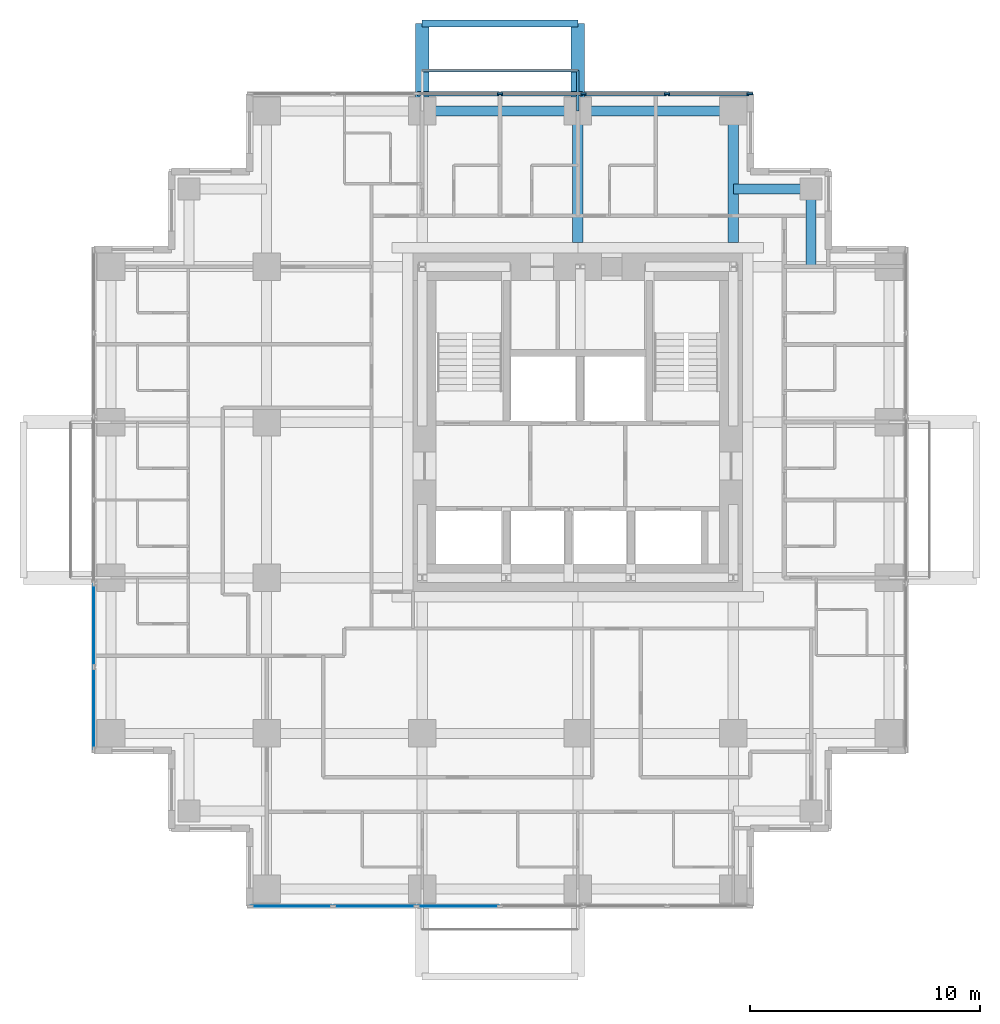
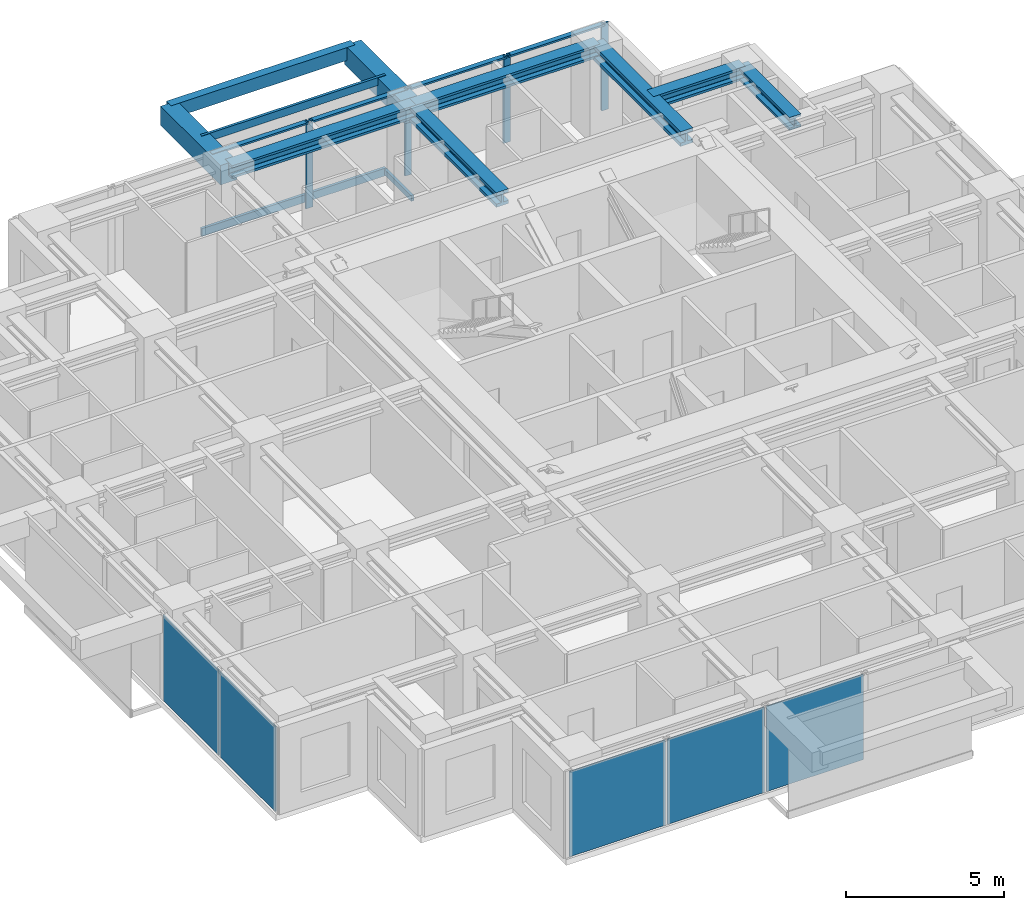
# One storey, part 4 of 10: 11 members, 9 beams, 5 plates, 3 elements without a shape of their own.
"""IFC4 building model written with IfcOpenShell, lengths in metres."""

from ifc_helpers import new_model, si_unit, direction, frame, origin, origin_2d, place, context, subcontext, project, spatial, rectangle, hollow_rectangle, i_section, extrude, material, layer, layer_set, material_profile, profile_set, type_object, element, aggregate, save


model = new_model("IFC4")

# Units and contexts
model_context = context("Model", 3, precision=1e-05, world=origin(), true_north=direction((0.0, 1.0)))
body_context = subcontext(model_context, "Body", "Model", "MODEL_VIEW")
ifc_project = project(units=[si_unit("LENGTHUNIT", "METRE"), si_unit("AREAUNIT", "SQUARE_METRE"), si_unit("VOLUMEUNIT", "CUBIC_METRE"), si_unit("PLANEANGLEUNIT", "RADIAN"), si_unit("MASSUNIT", "GRAM", prefix="KILO")], contexts=[model_context])

# Site, building, storey
site_placement = place(None, origin())
site = spatial("IfcSite", under=ifc_project, at=site_placement, CompositionType="ELEMENT")
building_placement = place(site_placement, origin())
building = spatial("IfcBuilding", under=site, at=building_placement, Name="Nyansa Garden Tower", CompositionType="ELEMENT")
storey_placement = place(building_placement, frame((0.0, 0.0, 181.800048828125)))
storey = spatial("IfcBuildingStorey", under=building, at=storey_placement, Name="L49", CompositionType="ELEMENT", Elevation=181.800048828125)

# Beams
ifc_material_1 = material(Name="Concrete C70/85", Category="concrete")
ifc_material_profile_1 = material_profile(ifc_material_1, rectangle(XDim=0.60009765625, YDim=0.75, at=origin_2d()), Name="RC 600x750")
ifc_profile_set_1 = profile_set([ifc_material_profile_1], Name="Concrete C70/85")
beam_type_1 = type_object("IfcBeamType", Name="Balcony cantilever beam CB1 RC 600x750", PredefinedType="BEAM", material=ifc_profile_set_1)
for number, where, z_axis, x_axis, name in (
    (1, (13.5, 33.75, 2.98486328125), (0.0, 1.0, 0.0), (-1.0, 0.0, 0.0), "Balcony cantilever beam L50"),
    (2, (20.25, 33.75, 2.98486328125), (0.0, 1.0, 0.0), (-1.0, 0.0, 0.0), "Balcony cantilever beam L50"),
):
    element("IfcBeam", number, at=place(storey_placement, frame(where, z_axis=z_axis, x_axis=x_axis)), inside=storey, type_object=beam_type_1, Name=name, PredefinedType="BEAM", context=body_context, shape_type="SweptSolid", body=[
        extrude(rectangle(XDim=0.60009765625, YDim=0.75, at=origin_2d()), origin(), (0.0, 0.0, 1.0), 3.800048828125),
    ])
ifc_material_2 = material(Name="Concrete C70/85", Category="concrete")
ifc_material_profile_2 = material_profile(ifc_material_2, rectangle(XDim=0.300048828125, YDim=0.5, at=origin_2d()), Name="RC 300x500")
ifc_profile_set_2 = profile_set([ifc_material_profile_2], Name="Concrete C70/85")
beam_type_2 = type_object("IfcBeamType", Name="Balcony edge beam BE1 RC 300x500", PredefinedType="BEAM", material=ifc_profile_set_2)
beam_placement = place(storey_placement, frame((13.5, 37.550048828125, 3.10986328125), z_axis=(1.0, 0.0, 0.0), x_axis=(0.0, 1.0, 0.0)))
element("IfcBeam", 3, at=beam_placement, inside=storey, type_object=beam_type_2, Name="Balcony edge beam L50", PredefinedType="BEAM", context=body_context, shape_type="SweptSolid", body=[
    extrude(rectangle(XDim=0.300048828125, YDim=0.5, at=origin_2d()), origin(), (0.0, 0.0, 1.0), 6.75),
])

# Curtain wall, members
ifc_material_3 = material(Name="Black anodised aluminium, dark tinted double glazing", Category="aluminium")
curtain_wall_type = type_object("IfcCurtainWallType", Name="Inner skin curtain wall ISW-C", PredefinedType="USERDEFINED", material=ifc_material_3)
curtain_wall_1_placement = place(storey_placement, origin())
curtain_wall_1 = element("IfcCurtainWall", 4, at=curtain_wall_1_placement, inside=storey, type_object=curtain_wall_type, Name="Inner skin curtain wall L49 N", ObjectType="UNITISED CURTAIN WALL", PredefinedType="USERDEFINED")
ifc_material_4 = material(Name="Black anodised aluminium", Category="aluminium")
ifc_material_profile_3 = material_profile(ifc_material_4, rectangle(XDim=0.070068359375, YDim=0.25, at=origin_2d()), Name="Mullion 250x70")
ifc_profile_set_3 = profile_set([ifc_material_profile_3], Name="Black anodised aluminium")
member_type_1 = type_object("IfcMemberType", Name="Mullion ISW-C 250x70", PredefinedType="MULLION", material=ifc_profile_set_3)
member_1_placement = place(storey_placement, frame((27.715087890625, 34.5, 0.0), z_axis=(0.0, 0.0, 1.0), x_axis=(0.0, -1.0, 0.0)))
member_1 = element("IfcMember", 5, at=member_1_placement, type_object=member_type_1, Name="ISW-C mullion 1", PredefinedType="MULLION", context=body_context, shape_type="SweptSolid", body=[
    extrude(rectangle(XDim=0.070068359375, YDim=0.25, at=origin_2d()), origin(), (0.0, 0.0, 1.0), 3.375),
])
member_2_placement = place(storey_placement, frame((24.125, 34.5, 0.0), z_axis=(0.0, 0.0, 1.0), x_axis=(0.0, -1.0, 0.0)))
member_2 = element("IfcMember", 6, at=member_2_placement, type_object=member_type_1, Name="ISW-C mullion 2", PredefinedType="MULLION", context=body_context, shape_type="SweptSolid", body=[
    extrude(rectangle(XDim=0.070068359375, YDim=0.25, at=origin_2d()), origin(), (0.0, 0.0, 1.0), 3.375),
])
member_3_placement = place(storey_placement, frame((20.5, 34.5, 0.0), z_axis=(0.0, 0.0, 1.0), x_axis=(0.0, -1.0, 0.0)))
member_3 = element("IfcMember", 7, at=member_3_placement, type_object=member_type_1, Name="ISW-C mullion 3", PredefinedType="MULLION", context=body_context, shape_type="SweptSolid", body=[
    extrude(rectangle(XDim=0.070068359375, YDim=0.25, at=origin_2d()), origin(), (0.0, 0.0, 1.0), 3.375),
])
member_4_placement = place(storey_placement, frame((16.875, 34.5, 0.0), z_axis=(0.0, 0.0, 1.0), x_axis=(0.0, -1.0, 0.0)))
member_4 = element("IfcMember", 8, at=member_4_placement, type_object=member_type_1, Name="ISW-C mullion 4", PredefinedType="MULLION", context=body_context, shape_type="SweptSolid", body=[
    extrude(rectangle(XDim=0.070068359375, YDim=0.25, at=origin_2d()), origin(), (0.0, 0.0, 1.0), 3.375),
])

# Members
ifc_material_5 = material(Name="Steel S355, black powder coated", Category="steel")
ifc_material_profile_4 = material_profile(ifc_material_5, hollow_rectangle(XDim=0.10009765625, YDim=0.199951171875, WallThickness=0.008056640625, at=origin_2d()), Name="RHS 200x100x8")
ifc_profile_set_4 = profile_set([ifc_material_profile_4], Name="Steel S355, black powder coated")
member_type_2 = type_object("IfcMemberType", Name="Outer skin bracket arm RHS 200x100x8", PredefinedType="USERDEFINED", material=ifc_profile_set_4)
member_5_placement = place(storey_placement, frame((20.25, 33.75, -0.375), z_axis=(0.0, 1.0, 0.0), x_axis=(-1.0, 0.0, 0.0)))
element("IfcMember", 9, at=member_5_placement, inside=storey, type_object=member_type_2, Name="Outer skin bracket arm", ObjectType="OUTER SKIN BRACKET", PredefinedType="USERDEFINED", context=body_context, shape_type="SweptSolid", body=[
    extrude(hollow_rectangle(XDim=0.10009765625, YDim=0.199951171875, WallThickness=0.008056640625, at=origin_2d()), origin(), (0.0, 0.0, 1.0), 1.75),
])
ifc_material_6 = material(Name="Steel S355, black powder coated", Category="steel")
ifc_material_profile_5 = material_profile(ifc_material_6, hollow_rectangle(XDim=0.10009765625, YDim=0.300048828125, WallThickness=0.010009765625, at=origin_2d()), Name="RHS 300x100x10")
ifc_profile_set_5 = profile_set([ifc_material_profile_5], Name="Steel S355, black powder coated")
member_type_3 = type_object("IfcMemberType", Name="Outer skin rail RHS 300x100x10", PredefinedType="USERDEFINED", material=ifc_profile_set_5)
for number, where, z_axis, x_axis, name in (
    (10, (13.5, 35.5, -0.375), (1.0, 0.0, 0.0), (0.0, 1.0, 0.0), "Outer skin rail L49"),
    (11, (13.5, 35.5, 3.224853515625), (1.0, 0.0, 0.0), (0.0, 1.0, 0.0), "Outer skin rail L49 head"),
):
    element("IfcMember", number, at=place(storey_placement, frame(where, z_axis=z_axis, x_axis=x_axis)), inside=storey, type_object=member_type_3, Name=name, ObjectType="OUTER SKIN RAIL", PredefinedType="USERDEFINED", context=body_context, shape_type="SweptSolid", body=[
        extrude(hollow_rectangle(XDim=0.10009765625, YDim=0.300048828125, WallThickness=0.010009765625, at=origin_2d()), origin(), (0.0, 0.0, 1.0), 6.75),
    ])

# Beams
ifc_material_7 = material(Name="Steel S355", Category="steel")
ifc_material_profile_6 = material_profile(ifc_material_7, i_section(OverallWidth=0.4541015625, OverallDepth=0.569091796875, WebThickness=0.077880859375, FlangeThickness=0.125, FilletRadius=0.014892578125, at=origin_2d()), Name="HD 400x1086")
ifc_profile_set_6 = profile_set([ifc_material_profile_6], Name="Steel S355")
beam_type_3 = type_object("IfcBeamType", Name="Steel beam SCL-1086 HD 400x1086", PredefinedType="BEAM", material=ifc_profile_set_6)
for number, where, z_axis, x_axis, name in (
    (12, (20.25, 28.050048828125, 3.09033203125), (0.0, 1.0, 0.0), (-1.0, 0.0, 0.0), "Steel beam 5/28.050-5/J L50"),
    (13, (27.0, 28.050048828125, 3.09033203125), (0.0, 1.0, 0.0), (-1.0, 0.0, 0.0), "Steel beam 6/28.050-6/J L50"),
):
    element("IfcBeam", number, at=place(storey_placement, frame(where, z_axis=z_axis, x_axis=x_axis)), inside=storey, type_object=beam_type_3, Name=name, PredefinedType="BEAM", context=body_context, shape_type="SweptSolid", body=[
        extrude(i_section(OverallWidth=0.4541015625, OverallDepth=0.569091796875, WebThickness=0.077880859375, FlangeThickness=0.125, FilletRadius=0.014892578125, at=origin_2d()), origin(), (0.0, 0.0, 1.0), 5.699951171875),
    ])
ifc_material_8 = material(Name="Steel S355", Category="steel")
ifc_material_profile_7 = material_profile(ifc_material_8, i_section(OverallWidth=0.431884765625, OverallDepth=0.498046875, WebThickness=0.0556640625, FlangeThickness=0.0888671875, FilletRadius=0.014892578125, at=origin_2d()), Name="HD 400x744")
ifc_profile_set_7 = profile_set([ifc_material_profile_7], Name="Steel S355")
beam_type_4 = type_object("IfcBeamType", Name="Steel beam SEBC-744 HD 400x744", PredefinedType="BEAM", material=ifc_profile_set_7)
for number, where, z_axis, x_axis, name in (
    (14, (13.5, 33.75, 3.1259765625), (1.0, 0.0, 0.0), (0.0, 1.0, 0.0), "Steel edge beam 4/J-5/J L50"),
    (15, (20.25, 33.75, 3.1259765625), (1.0, 0.0, 0.0), (0.0, 1.0, 0.0), "Steel edge beam 5/J-6/J L50"),
):
    element("IfcBeam", number, at=place(storey_placement, frame(where, z_axis=z_axis, x_axis=x_axis)), inside=storey, type_object=beam_type_4, Name=name, PredefinedType="BEAM", context=body_context, shape_type="SweptSolid", body=[
        extrude(i_section(OverallWidth=0.431884765625, OverallDepth=0.498046875, WebThickness=0.0556640625, FlangeThickness=0.0888671875, FilletRadius=0.014892578125, at=origin_2d()), origin(), (0.0, 0.0, 1.0), 6.75),
    ])
ifc_material_9 = material(Name="Steel S355", Category="steel")
ifc_material_profile_8 = material_profile(ifc_material_9, i_section(OverallWidth=0.431884765625, OverallDepth=0.498046875, WebThickness=0.0556640625, FlangeThickness=0.0888671875, FilletRadius=0.014892578125, at=origin_2d()), Name="HD 400x744")
ifc_profile_set_8 = profile_set([ifc_material_profile_8], Name="Steel S355")
beam_type_5 = type_object("IfcBeamType", Name="Steel beam SSB1-744 HD 400x744", PredefinedType="BEAM", material=ifc_profile_set_8)
for number, where, z_axis, x_axis, name in (
    (16, (30.375, 30.375, 3.1259765625), (0.0, -1.0, 0.0), (1.0, 0.0, 0.0), "Steel step beam 30.375/30.375 L50"),
    (17, (30.375, 30.375, 3.1259765625), (-1.0, 0.0, 0.0), (0.0, -1.0, 0.0), "Steel step beam 30.375/30.375 L50"),
):
    element("IfcBeam", number, at=place(storey_placement, frame(where, z_axis=z_axis, x_axis=x_axis)), inside=storey, type_object=beam_type_5, Name=name, PredefinedType="BEAM", context=body_context, shape_type="SweptSolid", body=[
        extrude(i_section(OverallWidth=0.431884765625, OverallDepth=0.498046875, WebThickness=0.0556640625, FlangeThickness=0.0888671875, FilletRadius=0.014892578125, at=origin_2d()), origin(), (0.0, 0.0, 1.0), 3.375),
    ])

# Member
ifc_material_10 = material(Name="Black anodised aluminium", Category="aluminium")
ifc_material_profile_9 = material_profile(ifc_material_10, rectangle(XDim=0.179931640625, YDim=0.070068359375, at=origin_2d()), Name="Transom 180x70")
ifc_profile_set_9 = profile_set([ifc_material_profile_9], Name="Black anodised aluminium")
member_type_4 = type_object("IfcMemberType", Name="Transom ISW-C 180x70", PredefinedType="USERDEFINED", material=ifc_profile_set_9)
member_6_placement = place(storey_placement, frame((27.679931640625, 34.5, 3.33984375), z_axis=(-1.0, 0.0, 0.0), x_axis=(0.0, -1.0, 0.0)))
member_6 = element("IfcMember", 18, at=member_6_placement, type_object=member_type_4, Name="ISW-C transom 1", ObjectType="TRANSOM", PredefinedType="USERDEFINED", context=body_context, shape_type="SweptSolid", body=[
    extrude(rectangle(XDim=0.179931640625, YDim=0.070068359375, at=origin_2d()), origin(), (0.0, 0.0, 1.0), 3.52001953125),
])

member_7_placement = place(storey_placement, frame((24.090087890625, 34.5, 3.33984375), z_axis=(-1.0, 0.0, 0.0), x_axis=(0.0, -1.0, 0.0)))
member_7 = element("IfcMember", 19, at=member_7_placement, type_object=member_type_4, Name="ISW-C transom 2", ObjectType="TRANSOM", PredefinedType="USERDEFINED", context=body_context, shape_type="SweptSolid", body=[
    extrude(rectangle(XDim=0.179931640625, YDim=0.070068359375, at=origin_2d()), origin(), (0.0, 0.0, 1.0), 3.55517578125),
])

member_8_placement = place(storey_placement, frame((20.465087890625, 34.5, 3.33984375), z_axis=(-1.0, 0.0, 0.0), x_axis=(0.0, -1.0, 0.0)))
member_8 = element("IfcMember", 20, at=member_8_placement, type_object=member_type_4, Name="ISW-C transom 3", ObjectType="TRANSOM", PredefinedType="USERDEFINED", context=body_context, shape_type="SweptSolid", body=[
    extrude(rectangle(XDim=0.179931640625, YDim=0.070068359375, at=origin_2d()), origin(), (0.0, 0.0, 1.0), 3.55517578125),
])

member_9_placement = place(storey_placement, frame((16.840087890625, 34.5, 3.33984375), z_axis=(-1.0, 0.0, 0.0), x_axis=(0.0, -1.0, 0.0)))
member_9 = element("IfcMember", 21, at=member_9_placement, type_object=member_type_4, Name="ISW-C transom 4", ObjectType="TRANSOM", PredefinedType="USERDEFINED", context=body_context, shape_type="SweptSolid", body=[
    extrude(rectangle(XDim=0.179931640625, YDim=0.070068359375, at=origin_2d()), origin(), (0.0, 0.0, 1.0), 3.55517578125),
])

aggregate(curtain_wall_1, [member_1, member_2, member_3, member_4, member_6, member_7, member_8, member_9])

# Curtain wall, plates
curtain_wall_2_placement = place(storey_placement, origin())
curtain_wall_2 = element("IfcCurtainWall", 22, at=curtain_wall_2_placement, inside=storey, type_object=curtain_wall_type, Name="Inner skin curtain wall L49 W", ObjectType="UNITISED CURTAIN WALL", PredefinedType="USERDEFINED")
ifc_material_11 = material(Name="Dark tinted laminated double glazing", Category="glass")
ifc_layer = layer(ifc_material_11, 0.0400390625)
ifc_layer_set = layer_set([ifc_layer], Name="Dark tinted vision panel VP-C")
plate_type = type_object("IfcPlateType", Name="Dark tinted vision panel VP-C", PredefinedType="CURTAIN_PANEL", material=ifc_layer_set)
plate_1_placement = place(storey_placement, frame((-0.75, 11.4375, 0.0), z_axis=(0.0, 0.0, 1.0), x_axis=(0.0, -1.0, 0.0)))
plate_1 = element("IfcPlate", 23, at=plate_1_placement, type_object=plate_type, Name="ISW-C panel 5", PredefinedType="CURTAIN_PANEL", context=body_context, shape_type="SweptSolid", body=[
    extrude(rectangle(XDim=3.554931640625, YDim=0.0400390625, at=origin_2d()), origin(), (0.0, 0.0, 1.0), 3.304931640625),
])
plate_2_placement = place(storey_placement, frame((-0.75, 7.830078125, 0.0), z_axis=(0.0, 0.0, 1.0), x_axis=(0.0, -1.0, 0.0)))
plate_2 = element("IfcPlate", 24, at=plate_2_placement, type_object=plate_type, Name="ISW-C panel 6", PredefinedType="CURTAIN_PANEL", context=body_context, shape_type="SweptSolid", body=[
    extrude(rectangle(XDim=3.52001953125, YDim=0.0400390625, at=origin_2d()), origin(), (0.0, 0.0, 1.0), 3.304931640625),
])
aggregate(curtain_wall_2, [plate_1, plate_2])

curtain_wall_3_placement = place(storey_placement, origin())
curtain_wall_3 = element("IfcCurtainWall", 25, at=curtain_wall_3_placement, inside=storey, type_object=curtain_wall_type, Name="Inner skin curtain wall L49 S", ObjectType="UNITISED CURTAIN WALL", PredefinedType="USERDEFINED")
plate_3_placement = place(storey_placement, frame((7.830078125, -0.75, 0.0), z_axis=(0.0, 0.0, 1.0), x_axis=(1.0, 0.0, 0.0)))
plate_3 = element("IfcPlate", 26, at=plate_3_placement, type_object=plate_type, Name="ISW-C panel 1", PredefinedType="CURTAIN_PANEL", context=body_context, shape_type="SweptSolid", body=[
    extrude(rectangle(XDim=3.52001953125, YDim=0.0400390625, at=origin_2d()), origin(), (0.0, 0.0, 1.0), 3.304931640625),
])
plate_4_placement = place(storey_placement, frame((11.4375, -0.75, 0.0), z_axis=(0.0, 0.0, 1.0), x_axis=(1.0, 0.0, 0.0)))
plate_4 = element("IfcPlate", 27, at=plate_4_placement, type_object=plate_type, Name="ISW-C panel 2", PredefinedType="CURTAIN_PANEL", context=body_context, shape_type="SweptSolid", body=[
    extrude(rectangle(XDim=3.554931640625, YDim=0.0400390625, at=origin_2d()), origin(), (0.0, 0.0, 1.0), 3.304931640625),
])
plate_5_placement = place(storey_placement, frame((15.0625, -0.75, 0.0), z_axis=(0.0, 0.0, 1.0), x_axis=(1.0, 0.0, 0.0)))
plate_5 = element("IfcPlate", 28, at=plate_5_placement, type_object=plate_type, Name="ISW-C panel 3", PredefinedType="CURTAIN_PANEL", context=body_context, shape_type="SweptSolid", body=[
    extrude(rectangle(XDim=3.554931640625, YDim=0.0400390625, at=origin_2d()), origin(), (0.0, 0.0, 1.0), 3.304931640625),
])
aggregate(curtain_wall_3, [plate_3, plate_4, plate_5])

save(model, "model.ifc")
